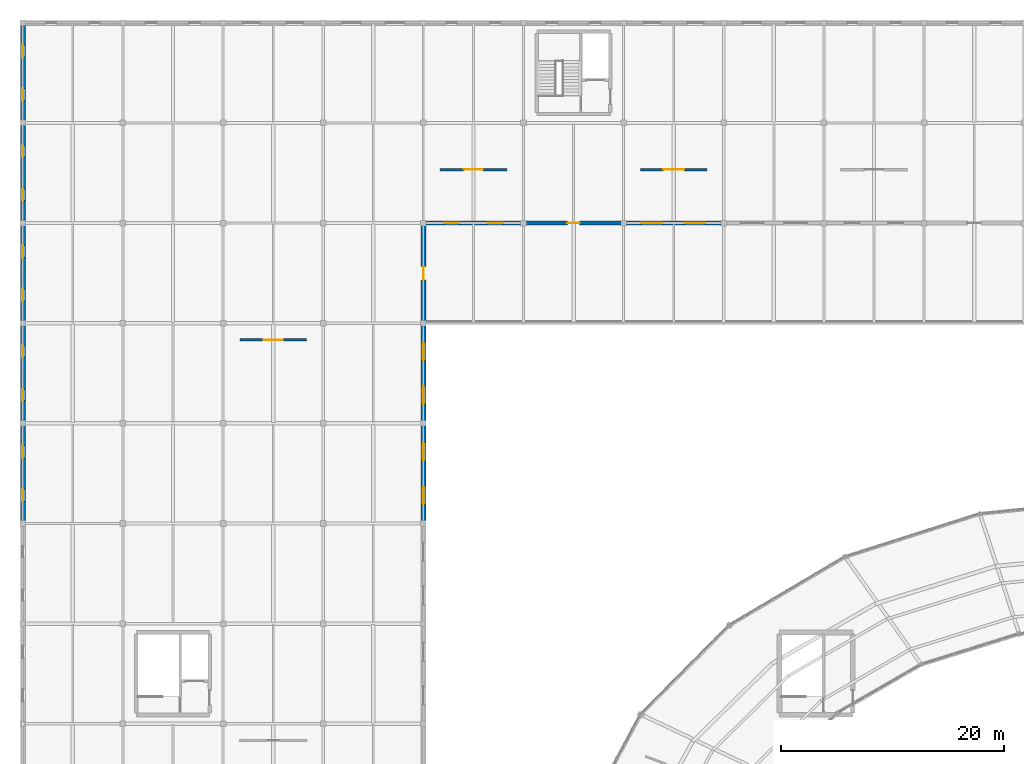
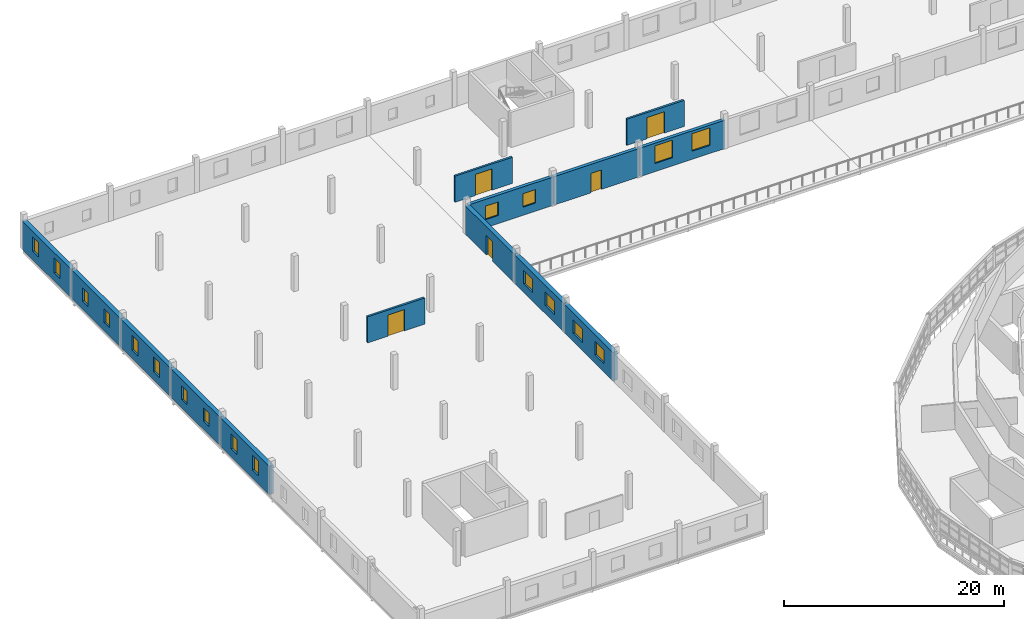
# One storey, part 108 of 123: 18 windows, 14 walls, 5 doors, 23 openings.
"""IFC4 building model written with IfcOpenShell, lengths in metres."""

from ifc_helpers import new_model, si_unit, direction, frame, frame_2d, origin, place, context, subcontext, project, spatial, rectangle, extrude, material, layer, layer_set, type_object, element, fill, save


model = new_model("IFC4")

# Units and contexts
model_context = context("Model", 3, precision=1e-05, world=origin(), true_north=direction((0.0, 1.0)))
body_context = subcontext(model_context, "Body", "Model", "MODEL_VIEW")
ifc_project = project(units=[si_unit("LENGTHUNIT", "METRE"), si_unit("AREAUNIT", "SQUARE_METRE"), si_unit("VOLUMEUNIT", "CUBIC_METRE"), si_unit("PLANEANGLEUNIT", "RADIAN"), si_unit("MASSUNIT", "GRAM", prefix="KILO")], contexts=[model_context])

# Site, building, storey
site_placement = place(None, origin())
site = spatial("IfcSite", under=ifc_project, at=site_placement, CompositionType="ELEMENT")
building_placement = place(site_placement, origin())
building = spatial("IfcBuilding", under=site, at=building_placement, Name="Kildeholm Park Wholesale Market", CompositionType="ELEMENT")
storey_placement = place(building_placement, frame((0.0, 0.0, 9.60009765625)))
storey = spatial("IfcBuildingStorey", under=building, at=storey_placement, Name="L02", CompositionType="ELEMENT", Elevation=9.60009765625)

# Wall, openings, windows
ifc_material_1 = material(Name="Precast concrete C40/50 ripening envelope wall", Category="concrete")
ifc_layer_1 = layer(ifc_material_1, 0.449951171875)
ifc_layer_set_1 = layer_set([ifc_layer_1], Name="Precast concrete C40/50 ripening envelope wall")
wall_type_1 = type_object("IfcWallType", Name="Exterior wall W-CS3 450 mm", PredefinedType="SOLIDWALL", material=ifc_layer_set_1)
wall_1_placement = place(storey_placement, frame((0.0, 126.06005859375, 0.0), z_axis=(0.0, 0.0, 1.0), x_axis=(0.0, 1.0, 0.0)))
wall_1 = element("IfcWall", 1, at=wall_1_placement, inside=storey, type_object=wall_type_1, Name="Exterior wall V4W-L02.4 WL-0396", PredefinedType="SOLIDWALL", context=body_context, shape_type="SweptSolid", body=[
    extrude(rectangle(XDim=8.8798828125, YDim=0.449951171875, at=frame_2d((4.43994140625, 0.0))), origin(), (0.0, 0.0, 1.0), 3.14990234375),
])
opening_1_placement = place(wall_1_placement, frame((1.93603515625, 0.0, 0.89990234375)))
opening_1 = element("IfcOpeningElement", 2, at=opening_1_placement, cuts=wall_1, Name="Opening WN-19", PredefinedType="OPENING", context=body_context, shape_type="SweptSolid", body=[
    extrude(rectangle(XDim=1.10009765625, YDim=1.64990234375, at=frame_2d((0.550048828125, 0.824951171875))), frame((0.0, 0.23486328125, 0.0), z_axis=(0.0, -1.0, 0.0), x_axis=(1.0, 0.0, 0.0)), (0.0, 0.0, 1.0), 0.469970703125),
])
opening_2_placement = place(wall_1_placement, frame((5.843994140625, 0.0, 0.89990234375)))
opening_2 = element("IfcOpeningElement", 3, at=opening_2_placement, cuts=wall_1, Name="Opening WN-19", PredefinedType="OPENING", context=body_context, shape_type="SweptSolid", body=[
    extrude(rectangle(XDim=1.10009765625, YDim=1.64990234375, at=frame_2d((0.550048828125, 0.824951171875))), frame((0.0, 0.23486328125, 0.0), z_axis=(0.0, -1.0, 0.0), x_axis=(1.0, 0.0, 0.0)), (0.0, 0.0, 1.0), 0.469970703125),
])
ifc_material_2 = material(Name="Thermally broken aluminium and triple-glazed low-E glass", Category="aluminium")
window_type_1 = type_object("IfcWindowType", Name="Window WN-19 1100x1650", PartitioningType="SINGLE_PANEL", PredefinedType="WINDOW", material=ifc_material_2)
window_1_placement = place(opening_1_placement, origin())
window_1 = element("IfcWindow", 4, at=window_1_placement, inside=storey, type_object=window_type_1, Name="Window V4W-L02.4.1 WIN-0185", OverallHeight=1.64990234375, OverallWidth=1.10009765625, PartitioningType="SINGLE_PANEL", PredefinedType="WINDOW", context=body_context, shape_type="SweptSolid", body=[
    extrude(rectangle(XDim=1.10009765625, YDim=1.64990234375, at=frame_2d((0.550048828125, 0.824951171875))), frame((0.0, 0.030029296875, 0.0), z_axis=(0.0, -1.0, 0.0), x_axis=(1.0, 0.0, 0.0)), (0.0, 0.0, 1.0), 0.06005859375),
])
fill(opening_1, window_1)
window_2_placement = place(opening_2_placement, origin())
window_2 = element("IfcWindow", 5, at=window_2_placement, inside=storey, type_object=window_type_1, Name="Window V4W-L02.4.2 WIN-0186", OverallHeight=1.64990234375, OverallWidth=1.10009765625, PartitioningType="SINGLE_PANEL", PredefinedType="WINDOW", context=body_context, shape_type="SweptSolid", body=[
    extrude(rectangle(XDim=1.10009765625, YDim=1.64990234375, at=frame_2d((0.550048828125, 0.824951171875))), frame((0.0, 0.030029296875, 0.0), z_axis=(0.0, -1.0, 0.0), x_axis=(1.0, 0.0, 0.0)), (0.0, 0.0, 1.0), 0.06005859375),
])
fill(opening_2, window_2)

wall_2_placement = place(storey_placement, frame((0.0, 135.06005859375, 0.0), z_axis=(0.0, 0.0, 1.0), x_axis=(0.0, 1.0, 0.0)))
wall_2 = element("IfcWall", 6, at=wall_2_placement, inside=storey, type_object=wall_type_1, Name="Exterior wall V4W-L02.5 WL-0397", PredefinedType="SOLIDWALL", context=body_context, shape_type="SweptSolid", body=[
    extrude(rectangle(XDim=8.8798828125, YDim=0.449951171875, at=frame_2d((4.43994140625, 0.0))), origin(), (0.0, 0.0, 1.0), 3.14990234375),
])
opening_3_placement = place(wall_2_placement, frame((1.986083984375, 0.0, 0.89990234375)))
opening_3 = element("IfcOpeningElement", 7, at=opening_3_placement, cuts=wall_2, Name="Opening WN-09", PredefinedType="OPENING", context=body_context, shape_type="SweptSolid", body=[
    extrude(rectangle(XDim=1.0, YDim=1.5, at=frame_2d((0.5, 0.75))), frame((0.0, 0.23486328125, 0.0), z_axis=(0.0, -1.0, 0.0), x_axis=(1.0, 0.0, 0.0)), (0.0, 0.0, 1.0), 0.469970703125),
])
opening_4_placement = place(wall_2_placement, frame((5.89404296875, 0.0, 0.89990234375)))
opening_4 = element("IfcOpeningElement", 8, at=opening_4_placement, cuts=wall_2, Name="Opening WN-09", PredefinedType="OPENING", context=body_context, shape_type="SweptSolid", body=[
    extrude(rectangle(XDim=1.0, YDim=1.5, at=frame_2d((0.5, 0.75))), frame((0.0, 0.23486328125, 0.0), z_axis=(0.0, -1.0, 0.0), x_axis=(1.0, 0.0, 0.0)), (0.0, 0.0, 1.0), 0.469970703125),
])
window_type_2 = type_object("IfcWindowType", Name="Window WN-09 1000x1500", PartitioningType="SINGLE_PANEL", PredefinedType="WINDOW", material=ifc_material_2)
window_3_placement = place(opening_3_placement, origin())
window_3 = element("IfcWindow", 9, at=window_3_placement, inside=storey, type_object=window_type_2, Name="Window V4W-L02.5.1 WIN-0187", OverallHeight=1.5, OverallWidth=1.0, PartitioningType="SINGLE_PANEL", PredefinedType="WINDOW", context=body_context, shape_type="SweptSolid", body=[
    extrude(rectangle(XDim=1.0, YDim=1.5, at=frame_2d((0.5, 0.75))), frame((0.0, 0.030029296875, 0.0), z_axis=(0.0, -1.0, 0.0), x_axis=(1.0, 0.0, 0.0)), (0.0, 0.0, 1.0), 0.06005859375),
])
fill(opening_3, window_3)
window_4_placement = place(opening_4_placement, origin())
window_4 = element("IfcWindow", 10, at=window_4_placement, inside=storey, type_object=window_type_2, Name="Window V4W-L02.5.2 WIN-0188", OverallHeight=1.5, OverallWidth=1.0, PartitioningType="SINGLE_PANEL", PredefinedType="WINDOW", context=body_context, shape_type="SweptSolid", body=[
    extrude(rectangle(XDim=1.0, YDim=1.5, at=frame_2d((0.5, 0.75))), frame((0.0, 0.030029296875, 0.0), z_axis=(0.0, -1.0, 0.0), x_axis=(1.0, 0.0, 0.0)), (0.0, 0.0, 1.0), 0.06005859375),
])
fill(opening_4, window_4)

wall_3_placement = place(storey_placement, frame((0.0, 144.06005859375, 0.0), z_axis=(0.0, 0.0, 1.0), x_axis=(0.0, 1.0, 0.0)))
wall_3 = element("IfcWall", 11, at=wall_3_placement, inside=storey, type_object=wall_type_1, Name="Exterior wall V4W-L02.6 WL-0398", PredefinedType="SOLIDWALL", context=body_context, shape_type="SweptSolid", body=[
    extrude(rectangle(XDim=8.8798828125, YDim=0.449951171875, at=frame_2d((4.43994140625, 0.0))), origin(), (0.0, 0.0, 1.0), 3.14990234375),
])
opening_5_placement = place(wall_3_placement, frame((1.93603515625, 0.0, 0.89990234375)))
opening_5 = element("IfcOpeningElement", 12, at=opening_5_placement, cuts=wall_3, Name="Opening WN-19", PredefinedType="OPENING", context=body_context, shape_type="SweptSolid", body=[
    extrude(rectangle(XDim=1.10009765625, YDim=1.64990234375, at=frame_2d((0.550048828125, 0.824951171875))), frame((0.0, 0.23486328125, 0.0), z_axis=(0.0, -1.0, 0.0), x_axis=(1.0, 0.0, 0.0)), (0.0, 0.0, 1.0), 0.469970703125),
])
opening_6_placement = place(wall_3_placement, frame((5.843994140625, 0.0, 0.89990234375)))
opening_6 = element("IfcOpeningElement", 13, at=opening_6_placement, cuts=wall_3, Name="Opening WN-19", PredefinedType="OPENING", context=body_context, shape_type="SweptSolid", body=[
    extrude(rectangle(XDim=1.10009765625, YDim=1.64990234375, at=frame_2d((0.550048828125, 0.824951171875))), frame((0.0, 0.23486328125, 0.0), z_axis=(0.0, -1.0, 0.0), x_axis=(1.0, 0.0, 0.0)), (0.0, 0.0, 1.0), 0.469970703125),
])
window_5_placement = place(opening_5_placement, origin())
window_5 = element("IfcWindow", 14, at=window_5_placement, inside=storey, type_object=window_type_1, Name="Window V4W-L02.6.1 WIN-0189", OverallHeight=1.64990234375, OverallWidth=1.10009765625, PartitioningType="SINGLE_PANEL", PredefinedType="WINDOW", context=body_context, shape_type="SweptSolid", body=[
    extrude(rectangle(XDim=1.10009765625, YDim=1.64990234375, at=frame_2d((0.550048828125, 0.824951171875))), frame((0.0, 0.030029296875, 0.0), z_axis=(0.0, -1.0, 0.0), x_axis=(1.0, 0.0, 0.0)), (0.0, 0.0, 1.0), 0.06005859375),
])
fill(opening_5, window_5)
window_6_placement = place(opening_6_placement, origin())
window_6 = element("IfcWindow", 15, at=window_6_placement, inside=storey, type_object=window_type_1, Name="Window V4W-L02.6.2 WIN-0190", OverallHeight=1.64990234375, OverallWidth=1.10009765625, PartitioningType="SINGLE_PANEL", PredefinedType="WINDOW", context=body_context, shape_type="SweptSolid", body=[
    extrude(rectangle(XDim=1.10009765625, YDim=1.64990234375, at=frame_2d((0.550048828125, 0.824951171875))), frame((0.0, 0.030029296875, 0.0), z_axis=(0.0, -1.0, 0.0), x_axis=(1.0, 0.0, 0.0)), (0.0, 0.0, 1.0), 0.06005859375),
])
fill(opening_6, window_6)

wall_4_placement = place(storey_placement, frame((0.0, 153.06005859375, 0.0), z_axis=(0.0, 0.0, 1.0), x_axis=(0.0, 1.0, 0.0)))
wall_4 = element("IfcWall", 16, at=wall_4_placement, inside=storey, type_object=wall_type_1, Name="Exterior wall V4W-L02.7 WL-0399", PredefinedType="SOLIDWALL", context=body_context, shape_type="SweptSolid", body=[
    extrude(rectangle(XDim=8.8798828125, YDim=0.449951171875, at=frame_2d((4.43994140625, 0.0))), origin(), (0.0, 0.0, 1.0), 3.14990234375),
])
opening_7_placement = place(wall_4_placement, frame((1.986083984375, 0.0, 0.89990234375)))
opening_7 = element("IfcOpeningElement", 17, at=opening_7_placement, cuts=wall_4, Name="Opening WN-09", PredefinedType="OPENING", context=body_context, shape_type="SweptSolid", body=[
    extrude(rectangle(XDim=1.0, YDim=1.5, at=frame_2d((0.5, 0.75))), frame((0.0, 0.23486328125, 0.0), z_axis=(0.0, -1.0, 0.0), x_axis=(1.0, 0.0, 0.0)), (0.0, 0.0, 1.0), 0.469970703125),
])
opening_8_placement = place(wall_4_placement, frame((5.89404296875, 0.0, 0.89990234375)))
opening_8 = element("IfcOpeningElement", 18, at=opening_8_placement, cuts=wall_4, Name="Opening WN-09", PredefinedType="OPENING", context=body_context, shape_type="SweptSolid", body=[
    extrude(rectangle(XDim=1.0, YDim=1.5, at=frame_2d((0.5, 0.75))), frame((0.0, 0.23486328125, 0.0), z_axis=(0.0, -1.0, 0.0), x_axis=(1.0, 0.0, 0.0)), (0.0, 0.0, 1.0), 0.469970703125),
])
window_7_placement = place(opening_7_placement, origin())
window_7 = element("IfcWindow", 19, at=window_7_placement, inside=storey, type_object=window_type_2, Name="Window V4W-L02.7.1 WIN-0191", OverallHeight=1.5, OverallWidth=1.0, PartitioningType="SINGLE_PANEL", PredefinedType="WINDOW", context=body_context, shape_type="SweptSolid", body=[
    extrude(rectangle(XDim=1.0, YDim=1.5, at=frame_2d((0.5, 0.75))), frame((0.0, 0.030029296875, 0.0), z_axis=(0.0, -1.0, 0.0), x_axis=(1.0, 0.0, 0.0)), (0.0, 0.0, 1.0), 0.06005859375),
])
fill(opening_7, window_7)
window_8_placement = place(opening_8_placement, origin())
window_8 = element("IfcWindow", 20, at=window_8_placement, inside=storey, type_object=window_type_2, Name="Window V4W-L02.7.2 WIN-0192", OverallHeight=1.5, OverallWidth=1.0, PartitioningType="SINGLE_PANEL", PredefinedType="WINDOW", context=body_context, shape_type="SweptSolid", body=[
    extrude(rectangle(XDim=1.0, YDim=1.5, at=frame_2d((0.5, 0.75))), frame((0.0, 0.030029296875, 0.0), z_axis=(0.0, -1.0, 0.0), x_axis=(1.0, 0.0, 0.0)), (0.0, 0.0, 1.0), 0.06005859375),
])
fill(opening_8, window_8)

wall_5_placement = place(storey_placement, frame((0.0, 162.06005859375, 0.0), z_axis=(0.0, 0.0, 1.0), x_axis=(0.0, 1.0, 0.0)))
wall_5 = element("IfcWall", 21, at=wall_5_placement, inside=storey, type_object=wall_type_1, Name="Exterior wall V4W-L02.8 WL-0400", PredefinedType="SOLIDWALL", context=body_context, shape_type="SweptSolid", body=[
    extrude(rectangle(XDim=8.8798828125, YDim=0.449951171875, at=frame_2d((4.43994140625, 0.0))), origin(), (0.0, 0.0, 1.0), 3.14990234375),
])
opening_9_placement = place(wall_5_placement, frame((1.93603515625, 0.0, 0.89990234375)))
opening_9 = element("IfcOpeningElement", 22, at=opening_9_placement, cuts=wall_5, Name="Opening WN-19", PredefinedType="OPENING", context=body_context, shape_type="SweptSolid", body=[
    extrude(rectangle(XDim=1.10009765625, YDim=1.64990234375, at=frame_2d((0.550048828125, 0.824951171875))), frame((0.0, 0.23486328125, 0.0), z_axis=(0.0, -1.0, 0.0), x_axis=(1.0, 0.0, 0.0)), (0.0, 0.0, 1.0), 0.469970703125),
])
opening_10_placement = place(wall_5_placement, frame((5.843994140625, 0.0, 0.89990234375)))
opening_10 = element("IfcOpeningElement", 23, at=opening_10_placement, cuts=wall_5, Name="Opening WN-19", PredefinedType="OPENING", context=body_context, shape_type="SweptSolid", body=[
    extrude(rectangle(XDim=1.10009765625, YDim=1.64990234375, at=frame_2d((0.550048828125, 0.824951171875))), frame((0.0, 0.23486328125, 0.0), z_axis=(0.0, -1.0, 0.0), x_axis=(1.0, 0.0, 0.0)), (0.0, 0.0, 1.0), 0.469970703125),
])
window_9_placement = place(opening_9_placement, origin())
window_9 = element("IfcWindow", 24, at=window_9_placement, inside=storey, type_object=window_type_1, Name="Window V4W-L02.8.1 WIN-0193", OverallHeight=1.64990234375, OverallWidth=1.10009765625, PartitioningType="SINGLE_PANEL", PredefinedType="WINDOW", context=body_context, shape_type="SweptSolid", body=[
    extrude(rectangle(XDim=1.10009765625, YDim=1.64990234375, at=frame_2d((0.550048828125, 0.824951171875))), frame((0.0, 0.030029296875, 0.0), z_axis=(0.0, -1.0, 0.0), x_axis=(1.0, 0.0, 0.0)), (0.0, 0.0, 1.0), 0.06005859375),
])
fill(opening_9, window_9)
window_10_placement = place(opening_10_placement, origin())
window_10 = element("IfcWindow", 25, at=window_10_placement, inside=storey, type_object=window_type_1, Name="Window V4W-L02.8.2 WIN-0194", OverallHeight=1.64990234375, OverallWidth=1.10009765625, PartitioningType="SINGLE_PANEL", PredefinedType="WINDOW", context=body_context, shape_type="SweptSolid", body=[
    extrude(rectangle(XDim=1.10009765625, YDim=1.64990234375, at=frame_2d((0.550048828125, 0.824951171875))), frame((0.0, 0.030029296875, 0.0), z_axis=(0.0, -1.0, 0.0), x_axis=(1.0, 0.0, 0.0)), (0.0, 0.0, 1.0), 0.06005859375),
])
fill(opening_10, window_10)

wall_6_placement = place(storey_placement, frame((36.0, 126.06005859375, 0.0), z_axis=(0.0, 0.0, 1.0), x_axis=(0.0, 1.0, 0.0)))
wall_6 = element("IfcWall", 26, at=wall_6_placement, inside=storey, type_object=wall_type_1, Name="Exterior wall V4WE-L02.4 WL-0426", PredefinedType="SOLIDWALL", context=body_context, shape_type="SweptSolid", body=[
    extrude(rectangle(XDim=8.8798828125, YDim=0.449951171875, at=frame_2d((4.43994140625, 0.0))), origin(), (0.0, 0.0, 1.0), 3.14990234375),
])
opening_11_placement = place(wall_6_placement, frame((1.660888671875, 0.0, 0.89990234375)))
opening_11 = element("IfcOpeningElement", 27, at=opening_11_placement, cuts=wall_6, Name="Opening WN-11", PredefinedType="OPENING", context=body_context, shape_type="SweptSolid", body=[
    extrude(rectangle(XDim=1.64990234375, YDim=1.5, at=frame_2d((0.824951171875, 0.75))), frame((0.0, 0.23486328125, 0.0), z_axis=(0.0, -1.0, 0.0), x_axis=(1.0, 0.0, 0.0)), (0.0, 0.0, 1.0), 0.469970703125),
])
opening_12_placement = place(wall_6_placement, frame((5.569091796875, 0.0, 0.89990234375)))
opening_12 = element("IfcOpeningElement", 28, at=opening_12_placement, cuts=wall_6, Name="Opening WN-11", PredefinedType="OPENING", context=body_context, shape_type="SweptSolid", body=[
    extrude(rectangle(XDim=1.64990234375, YDim=1.5, at=frame_2d((0.824951171875, 0.75))), frame((0.0, 0.23486328125, 0.0), z_axis=(0.0, -1.0, 0.0), x_axis=(1.0, 0.0, 0.0)), (0.0, 0.0, 1.0), 0.469970703125),
])
window_type_3 = type_object("IfcWindowType", Name="Window WN-11 1650x1500", PartitioningType="DOUBLE_PANEL_VERTICAL", PredefinedType="WINDOW", material=ifc_material_2)
window_11_placement = place(opening_11_placement, origin())
window_11 = element("IfcWindow", 29, at=window_11_placement, inside=storey, type_object=window_type_3, Name="Window V4WE-L02.4.1 WIN-0219", OverallHeight=1.5, OverallWidth=1.64990234375, PartitioningType="SINGLE_PANEL", PredefinedType="WINDOW", context=body_context, shape_type="SweptSolid", body=[
    extrude(rectangle(XDim=1.64990234375, YDim=1.5, at=frame_2d((0.824951171875, 0.75))), frame((0.0, 0.030029296875, 0.0), z_axis=(0.0, -1.0, 0.0), x_axis=(1.0, 0.0, 0.0)), (0.0, 0.0, 1.0), 0.06005859375),
])
fill(opening_11, window_11)
window_12_placement = place(opening_12_placement, origin())
window_12 = element("IfcWindow", 30, at=window_12_placement, inside=storey, type_object=window_type_3, Name="Window V4WE-L02.4.2 WIN-0220", OverallHeight=1.5, OverallWidth=1.64990234375, PartitioningType="SINGLE_PANEL", PredefinedType="WINDOW", context=body_context, shape_type="SweptSolid", body=[
    extrude(rectangle(XDim=1.64990234375, YDim=1.5, at=frame_2d((0.824951171875, 0.75))), frame((0.0, 0.030029296875, 0.0), z_axis=(0.0, -1.0, 0.0), x_axis=(1.0, 0.0, 0.0)), (0.0, 0.0, 1.0), 0.06005859375),
])
fill(opening_12, window_12)

wall_7_placement = place(storey_placement, frame((36.0, 135.06005859375, 0.0), z_axis=(0.0, 0.0, 1.0), x_axis=(0.0, 1.0, 0.0)))
wall_7 = element("IfcWall", 31, at=wall_7_placement, inside=storey, type_object=wall_type_1, Name="Exterior wall V4WE-L02.5 WL-0427", PredefinedType="SOLIDWALL", context=body_context, shape_type="SweptSolid", body=[
    extrude(rectangle(XDim=8.8798828125, YDim=0.449951171875, at=frame_2d((4.43994140625, 0.0))), origin(), (0.0, 0.0, 1.0), 3.14990234375),
])
opening_13_placement = place(wall_7_placement, frame((1.660888671875, 0.0, 0.89990234375)))
opening_13 = element("IfcOpeningElement", 32, at=opening_13_placement, cuts=wall_7, Name="Opening WN-11", PredefinedType="OPENING", context=body_context, shape_type="SweptSolid", body=[
    extrude(rectangle(XDim=1.64990234375, YDim=1.5, at=frame_2d((0.824951171875, 0.75))), frame((0.0, 0.23486328125, 0.0), z_axis=(0.0, -1.0, 0.0), x_axis=(1.0, 0.0, 0.0)), (0.0, 0.0, 1.0), 0.469970703125),
])
opening_14_placement = place(wall_7_placement, frame((5.569091796875, 0.0, 0.89990234375)))
opening_14 = element("IfcOpeningElement", 33, at=opening_14_placement, cuts=wall_7, Name="Opening WN-11", PredefinedType="OPENING", context=body_context, shape_type="SweptSolid", body=[
    extrude(rectangle(XDim=1.64990234375, YDim=1.5, at=frame_2d((0.824951171875, 0.75))), frame((0.0, 0.23486328125, 0.0), z_axis=(0.0, -1.0, 0.0), x_axis=(1.0, 0.0, 0.0)), (0.0, 0.0, 1.0), 0.469970703125),
])
window_13_placement = place(opening_13_placement, origin())
window_13 = element("IfcWindow", 34, at=window_13_placement, inside=storey, type_object=window_type_3, Name="Window V4WE-L02.5.1 WIN-0221", OverallHeight=1.5, OverallWidth=1.64990234375, PartitioningType="SINGLE_PANEL", PredefinedType="WINDOW", context=body_context, shape_type="SweptSolid", body=[
    extrude(rectangle(XDim=1.64990234375, YDim=1.5, at=frame_2d((0.824951171875, 0.75))), frame((0.0, 0.030029296875, 0.0), z_axis=(0.0, -1.0, 0.0), x_axis=(1.0, 0.0, 0.0)), (0.0, 0.0, 1.0), 0.06005859375),
])
fill(opening_13, window_13)
window_14_placement = place(opening_14_placement, origin())
window_14 = element("IfcWindow", 35, at=window_14_placement, inside=storey, type_object=window_type_3, Name="Window V4WE-L02.5.2 WIN-0222", OverallHeight=1.5, OverallWidth=1.64990234375, PartitioningType="SINGLE_PANEL", PredefinedType="WINDOW", context=body_context, shape_type="SweptSolid", body=[
    extrude(rectangle(XDim=1.64990234375, YDim=1.5, at=frame_2d((0.824951171875, 0.75))), frame((0.0, 0.030029296875, 0.0), z_axis=(0.0, -1.0, 0.0), x_axis=(1.0, 0.0, 0.0)), (0.0, 0.0, 1.0), 0.06005859375),
])
fill(opening_14, window_14)

# Wall, opening, door
wall_8_placement = place(storey_placement, frame((36.0, 144.06005859375, 0.0), z_axis=(0.0, 0.0, 1.0), x_axis=(0.0, 1.0, 0.0)))
wall_8 = element("IfcWall", 36, at=wall_8_placement, inside=storey, type_object=wall_type_1, Name="Exterior wall V4WE-L02.6 WL-0428", PredefinedType="SOLIDWALL", context=body_context, shape_type="SweptSolid", body=[
    extrude(rectangle(XDim=8.8798828125, YDim=0.449951171875, at=frame_2d((4.43994140625, 0.0))), origin(), (0.0, 0.0, 1.0), 3.14990234375),
])
opening_15_placement = place(wall_8_placement, frame((3.840087890625, 0.0, 0.0)))
opening_15 = element("IfcOpeningElement", 37, at=opening_15_placement, cuts=wall_8, Name="Opening D-EX11", PredefinedType="OPENING", context=body_context, shape_type="SweptSolid", body=[
    extrude(rectangle(XDim=1.199951171875, YDim=2.14990234375, at=frame_2d((0.60009765625, 1.074951171875))), frame((0.0, 0.23486328125, 0.0), z_axis=(0.0, -1.0, 0.0), x_axis=(1.0, 0.0, 0.0)), (0.0, 0.0, 1.0), 0.469970703125),
])
ifc_material_3 = material(Name="Anodised aluminium terrace leaf door", Category="aluminium")
door_type_1 = type_object("IfcDoorType", Name="Exterior door D-EX11 1200x2150", OperationType="NOTDEFINED", PredefinedType="DOOR", material=ifc_material_3)
door_1_placement = place(opening_15_placement, frame((1.199951171875, 0.0, 0.0), z_axis=(0.0, 0.0, 1.0), x_axis=(-1.0, 0.0, 0.0)))
door_1 = element("IfcDoor", 38, at=door_1_placement, inside=storey, type_object=door_type_1, Name="Door V4WE-L02.6 DR-0039 WL-0428", OperationType="SINGLE_SWING_LEFT", OverallHeight=2.14990234375, OverallWidth=1.199951171875, PredefinedType="DOOR", context=body_context, shape_type="SweptSolid", body=[
    extrude(rectangle(XDim=1.199951171875, YDim=2.14990234375, at=frame_2d((0.60009765625, 1.074951171875))), frame((0.0, 0.02490234375, 0.0), z_axis=(0.0, -1.0, 0.0), x_axis=(1.0, 0.0, 0.0)), (0.0, 0.0, 1.0), 0.050048828125),
])
fill(opening_15, door_1)

# Wall, openings, windows
ifc_material_4 = material(Name="Precast concrete C40/50 architectural rainscreen wall", Category="concrete")
ifc_layer_2 = layer(ifc_material_4, 0.340087890625)
ifc_layer_set_2 = layer_set([ifc_layer_2], Name="Precast concrete C40/50 architectural rainscreen wall")
wall_type_2 = type_object("IfcWallType", Name="Exterior wall W-EX4 340 mm", PredefinedType="SOLIDWALL", material=ifc_layer_set_2)
wall_9_placement = place(storey_placement, frame((36.06005859375, 153.0, 0.0), z_axis=(0.0, 0.0, 1.0), x_axis=(1.0, 0.0, 0.0)))
wall_9 = element("IfcWall", 39, at=wall_9_placement, inside=storey, type_object=wall_type_2, Name="Exterior wall V4S-L02.1 WL-0469", PredefinedType="SOLIDWALL", context=body_context, shape_type="SweptSolid", body=[
    extrude(rectangle(XDim=8.8798828125, YDim=0.340087890625, at=frame_2d((4.43994140625, 0.0))), origin(), (0.0, 0.0, 1.0), 3.14990234375),
])
opening_16_placement = place(wall_9_placement, frame((1.81103515625, 0.0, 0.89990234375)))
opening_16 = element("IfcOpeningElement", 40, at=opening_16_placement, cuts=wall_9, Name="Opening WN-10", PredefinedType="OPENING", context=body_context, shape_type="SweptSolid", body=[
    extrude(rectangle(XDim=1.35009765625, YDim=1.5, at=frame_2d((0.675048828125, 0.75))), frame((0.0, 0.179931640625, 0.0), z_axis=(0.0, -1.0, 0.0), x_axis=(1.0, 0.0, 0.0)), (0.0, 0.0, 1.0), 0.360107421875),
])
opening_17_placement = place(wall_9_placement, frame((5.718994140625, 0.0, 0.89990234375)))
opening_17 = element("IfcOpeningElement", 41, at=opening_17_placement, cuts=wall_9, Name="Opening WN-10", PredefinedType="OPENING", context=body_context, shape_type="SweptSolid", body=[
    extrude(rectangle(XDim=1.35009765625, YDim=1.5, at=frame_2d((0.675048828125, 0.75))), frame((0.0, 0.179931640625, 0.0), z_axis=(0.0, -1.0, 0.0), x_axis=(1.0, 0.0, 0.0)), (0.0, 0.0, 1.0), 0.360107421875),
])
window_type_4 = type_object("IfcWindowType", Name="Window WN-10 1350x1500", PartitioningType="SINGLE_PANEL", PredefinedType="WINDOW", material=ifc_material_2)
window_15_placement = place(opening_16_placement, origin())
window_15 = element("IfcWindow", 42, at=window_15_placement, inside=storey, type_object=window_type_4, Name="Window V4S-L02.1.1 WIN-0265", OverallHeight=1.5, OverallWidth=1.35009765625, PartitioningType="SINGLE_PANEL", PredefinedType="WINDOW", context=body_context, shape_type="SweptSolid", body=[
    extrude(rectangle(XDim=1.35009765625, YDim=1.5, at=frame_2d((0.675048828125, 0.75))), frame((0.0, 0.030029296875, 0.0), z_axis=(0.0, -1.0, 0.0), x_axis=(1.0, 0.0, 0.0)), (0.0, 0.0, 1.0), 0.06005859375),
])
fill(opening_16, window_15)
window_16_placement = place(opening_17_placement, origin())
window_16 = element("IfcWindow", 43, at=window_16_placement, inside=storey, type_object=window_type_4, Name="Window V4S-L02.1.2 WIN-0266", OverallHeight=1.5, OverallWidth=1.35009765625, PartitioningType="SINGLE_PANEL", PredefinedType="WINDOW", context=body_context, shape_type="SweptSolid", body=[
    extrude(rectangle(XDim=1.35009765625, YDim=1.5, at=frame_2d((0.675048828125, 0.75))), frame((0.0, 0.030029296875, 0.0), z_axis=(0.0, -1.0, 0.0), x_axis=(1.0, 0.0, 0.0)), (0.0, 0.0, 1.0), 0.06005859375),
])
fill(opening_17, window_16)

# Wall, opening, door
wall_10_placement = place(storey_placement, frame((45.06005859375, 153.0, 0.0), z_axis=(0.0, 0.0, 1.0), x_axis=(1.0, 0.0, 0.0)))
wall_10 = element("IfcWall", 44, at=wall_10_placement, inside=storey, type_object=wall_type_2, Name="Exterior wall V4S-L02.2 WL-0470", PredefinedType="SOLIDWALL", context=body_context, shape_type="SweptSolid", body=[
    extrude(rectangle(XDim=8.8798828125, YDim=0.340087890625, at=frame_2d((4.43994140625, 0.0))), origin(), (0.0, 0.0, 1.0), 3.14990234375),
])
opening_18_placement = place(wall_10_placement, frame((3.889892578125, 0.0, 0.0)))
opening_18 = element("IfcOpeningElement", 45, at=opening_18_placement, cuts=wall_10, Name="Opening D-EX06", PredefinedType="OPENING", context=body_context, shape_type="SweptSolid", body=[
    extrude(rectangle(XDim=1.10009765625, YDim=2.14990234375, at=frame_2d((0.550048828125, 1.074951171875))), frame((0.0, 0.179931640625, 0.0), z_axis=(0.0, -1.0, 0.0), x_axis=(1.0, 0.0, 0.0)), (0.0, 0.0, 1.0), 0.360107421875),
])
ifc_material_5 = material(Name="Anodised aluminium terrace doorset", Category="aluminium")
door_type_2 = type_object("IfcDoorType", Name="Exterior door D-EX06 1100x2150", OperationType="NOTDEFINED", PredefinedType="DOOR", material=ifc_material_5)
door_2_placement = place(opening_18_placement, frame((1.10009765625, 0.0, 0.0), z_axis=(0.0, 0.0, 1.0), x_axis=(-1.0, 0.0, 0.0)))
door_2 = element("IfcDoor", 46, at=door_2_placement, inside=storey, type_object=door_type_2, Name="Door V4S-L02.2 DR-0044 WL-0470", OperationType="SINGLE_SWING_RIGHT", OverallHeight=2.14990234375, OverallWidth=1.10009765625, PredefinedType="DOOR", context=body_context, shape_type="SweptSolid", body=[
    extrude(rectangle(XDim=1.10009765625, YDim=2.14990234375, at=frame_2d((0.550048828125, 1.074951171875))), frame((0.0, 0.02490234375, 0.0), z_axis=(0.0, -1.0, 0.0), x_axis=(1.0, 0.0, 0.0)), (0.0, 0.0, 1.0), 0.050048828125),
])
fill(opening_18, door_2)

# Wall, openings, windows
wall_11_placement = place(storey_placement, frame((54.06005859375, 153.0, 0.0), z_axis=(0.0, 0.0, 1.0), x_axis=(1.0, 0.0, 0.0)))
wall_11 = element("IfcWall", 47, at=wall_11_placement, inside=storey, type_object=wall_type_2, Name="Exterior wall V4S-L02.3 WL-0471", PredefinedType="SOLIDWALL", context=body_context, shape_type="SweptSolid", body=[
    extrude(rectangle(XDim=8.8798828125, YDim=0.340087890625, at=frame_2d((4.43994140625, 0.0))), origin(), (0.0, 0.0, 1.0), 3.14990234375),
])
opening_19_placement = place(wall_11_placement, frame((1.5458984375, 0.0, 0.89990234375)))
opening_19 = element("IfcOpeningElement", 48, at=opening_19_placement, cuts=wall_11, Name="Opening WN-39", PredefinedType="OPENING", context=body_context, shape_type="SweptSolid", body=[
    extrude(rectangle(XDim=1.8798828125, YDim=1.949951171875, at=frame_2d((0.93994140625, 0.97509765625))), frame((0.0, 0.179931640625, 0.0), z_axis=(0.0, -1.0, 0.0), x_axis=(1.0, 0.0, 0.0)), (0.0, 0.0, 1.0), 0.360107421875),
])
opening_20_placement = place(wall_11_placement, frame((5.4541015625, 0.0, 0.89990234375)))
opening_20 = element("IfcOpeningElement", 49, at=opening_20_placement, cuts=wall_11, Name="Opening WN-39", PredefinedType="OPENING", context=body_context, shape_type="SweptSolid", body=[
    extrude(rectangle(XDim=1.8798828125, YDim=1.949951171875, at=frame_2d((0.93994140625, 0.97509765625))), frame((0.0, 0.179931640625, 0.0), z_axis=(0.0, -1.0, 0.0), x_axis=(1.0, 0.0, 0.0)), (0.0, 0.0, 1.0), 0.360107421875),
])
window_type_5 = type_object("IfcWindowType", Name="Window WN-39 1880x1950", PartitioningType="DOUBLE_PANEL_VERTICAL", PredefinedType="WINDOW", material=ifc_material_2)
window_17_placement = place(opening_19_placement, origin())
window_17 = element("IfcWindow", 50, at=window_17_placement, inside=storey, type_object=window_type_5, Name="Window V4S-L02.3.1 WIN-0267", OverallHeight=1.949951171875, OverallWidth=1.8798828125, PartitioningType="SINGLE_PANEL", PredefinedType="WINDOW", context=body_context, shape_type="SweptSolid", body=[
    extrude(rectangle(XDim=1.8798828125, YDim=1.949951171875, at=frame_2d((0.93994140625, 0.97509765625))), frame((0.0, 0.030029296875, 0.0), z_axis=(0.0, -1.0, 0.0), x_axis=(1.0, 0.0, 0.0)), (0.0, 0.0, 1.0), 0.06005859375),
])
fill(opening_19, window_17)
window_18_placement = place(opening_20_placement, origin())
window_18 = element("IfcWindow", 51, at=window_18_placement, inside=storey, type_object=window_type_5, Name="Window V4S-L02.3.2 WIN-0268", OverallHeight=1.949951171875, OverallWidth=1.8798828125, PartitioningType="SINGLE_PANEL", PredefinedType="WINDOW", context=body_context, shape_type="SweptSolid", body=[
    extrude(rectangle(XDim=1.8798828125, YDim=1.949951171875, at=frame_2d((0.93994140625, 0.97509765625))), frame((0.0, 0.030029296875, 0.0), z_axis=(0.0, -1.0, 0.0), x_axis=(1.0, 0.0, 0.0)), (0.0, 0.0, 1.0), 0.06005859375),
])
fill(opening_20, window_18)

# Wall, opening, door
ifc_material_6 = material(Name="Insulated ripening chamber airtight partition")
ifc_layer_3 = layer(ifc_material_6, 0.215087890625)
ifc_layer_set_3 = layer_set([ifc_layer_3], Name="Insulated ripening chamber airtight partition")
wall_type_3 = type_object("IfcWallType", Name="Partition W-PT08 215 mm", PredefinedType="PARTITIONING", material=ifc_layer_set_3)
wall_12_placement = place(storey_placement, frame((37.5, 157.800048828125, 0.0), z_axis=(0.0, 0.0, 1.0), x_axis=(1.0, 0.0, 0.0)))
wall_12 = element("IfcWall", 52, at=wall_12_placement, inside=storey, type_object=wall_type_3, Name="Interior partition W-V4-L02-RPS01 WL-0991", PredefinedType="PARTITIONING", context=body_context, shape_type="SweptSolid", body=[
    extrude(rectangle(XDim=6.0, YDim=0.215087890625, at=frame_2d((3.0, 0.0))), origin(), (0.0, 0.0, 1.0), 2.89990234375),
])
opening_21_placement = place(wall_12_placement, frame((2.14990234375, 0.0, 0.0)))
opening_21 = element("IfcOpeningElement", 53, at=opening_21_placement, cuts=wall_12, Name="Opening D-RP01", PredefinedType="OPENING", context=body_context, shape_type="SweptSolid", body=[
    extrude(rectangle(XDim=1.699951171875, YDim=2.35009765625, at=frame_2d((0.85009765625, 1.175048828125))), frame((0.0, 0.117431640625, 0.0), z_axis=(0.0, -1.0, 0.0), x_axis=(1.0, 0.0, 0.0)), (0.0, 0.0, 1.0), 0.235107421875),
])
ifc_material_7 = material(Name="Airtight insulated ripening chamber doorset")
door_type_3 = type_object("IfcDoorType", Name="Interior door D-RP01 1700x2350", OperationType="NOTDEFINED", PredefinedType="DOOR", material=ifc_material_7)
door_3_placement = place(opening_21_placement, origin())
door_3 = element("IfcDoor", 54, at=door_3_placement, inside=storey, type_object=door_type_3, Name="Interior door V4-L02-RPS01 DR-0266 WL-0991", OperationType="SINGLE_SWING_RIGHT", OverallHeight=2.35009765625, OverallWidth=1.699951171875, PredefinedType="DOOR", context=body_context, shape_type="SweptSolid", body=[
    extrude(rectangle(XDim=1.699951171875, YDim=2.35009765625, at=frame_2d((0.85009765625, 1.175048828125))), frame((0.0, 0.02490234375, 0.0), z_axis=(0.0, -1.0, 0.0), x_axis=(1.0, 0.0, 0.0)), (0.0, 0.0, 1.0), 0.050048828125),
])
fill(opening_21, door_3)

wall_13_placement = place(storey_placement, frame((55.5, 157.800048828125, 0.0), z_axis=(0.0, 0.0, 1.0), x_axis=(1.0, 0.0, 0.0)))
wall_13 = element("IfcWall", 55, at=wall_13_placement, inside=storey, type_object=wall_type_3, Name="Interior partition W-V4-L02-RPS02 WL-0992", PredefinedType="PARTITIONING", context=body_context, shape_type="SweptSolid", body=[
    extrude(rectangle(XDim=6.0, YDim=0.215087890625, at=frame_2d((3.0, 0.0))), origin(), (0.0, 0.0, 1.0), 2.89990234375),
])
opening_22_placement = place(wall_13_placement, frame((2.074951171875, 0.0, 0.0)))
opening_22 = element("IfcOpeningElement", 56, at=opening_22_placement, cuts=wall_13, Name="Opening D-RP02", PredefinedType="OPENING", context=body_context, shape_type="SweptSolid", body=[
    extrude(rectangle(XDim=1.85009765625, YDim=2.35009765625, at=frame_2d((0.925048828125, 1.175048828125))), frame((0.0, 0.117431640625, 0.0), z_axis=(0.0, -1.0, 0.0), x_axis=(1.0, 0.0, 0.0)), (0.0, 0.0, 1.0), 0.235107421875),
])
ifc_material_8 = material(Name="Airtight ethylene ripening chamber doorset")
door_type_4 = type_object("IfcDoorType", Name="Interior door D-RP02 1850x2350", OperationType="NOTDEFINED", PredefinedType="DOOR", material=ifc_material_8)
door_4_placement = place(opening_22_placement, origin())
door_4 = element("IfcDoor", 57, at=door_4_placement, inside=storey, type_object=door_type_4, Name="Interior door V4-L02-RPS02 DR-0267 WL-0992", OperationType="SINGLE_SWING_LEFT", OverallHeight=2.35009765625, OverallWidth=1.85009765625, PredefinedType="DOOR", context=body_context, shape_type="SweptSolid", body=[
    extrude(rectangle(XDim=1.85009765625, YDim=2.35009765625, at=frame_2d((0.925048828125, 1.175048828125))), frame((0.0, 0.02490234375, 0.0), z_axis=(0.0, -1.0, 0.0), x_axis=(1.0, 0.0, 0.0)), (0.0, 0.0, 1.0), 0.050048828125),
])
fill(opening_22, door_4)

wall_14_placement = place(storey_placement, frame((19.5, 142.5, 0.0), z_axis=(0.0, 0.0, 1.0), x_axis=(1.0, 0.0, 0.0)))
wall_14 = element("IfcWall", 58, at=wall_14_placement, inside=storey, type_object=wall_type_3, Name="Interior partition W-V4-L02-ETH WL-0999", PredefinedType="PARTITIONING", context=body_context, shape_type="SweptSolid", body=[
    extrude(rectangle(XDim=6.0, YDim=0.215087890625, at=frame_2d((3.0, 0.0))), origin(), (0.0, 0.0, 1.0), 2.89990234375),
])
opening_23_placement = place(wall_14_placement, frame((2.14990234375, 0.0, 0.0)))
opening_23 = element("IfcOpeningElement", 59, at=opening_23_placement, cuts=wall_14, Name="Opening D-RP01", PredefinedType="OPENING", context=body_context, shape_type="SweptSolid", body=[
    extrude(rectangle(XDim=1.699951171875, YDim=2.35009765625, at=frame_2d((0.85009765625, 1.175048828125))), frame((0.0, 0.117431640625, 0.0), z_axis=(0.0, -1.0, 0.0), x_axis=(1.0, 0.0, 0.0)), (0.0, 0.0, 1.0), 0.235107421875),
])
door_5_placement = place(opening_23_placement, origin())
door_5 = element("IfcDoor", 60, at=door_5_placement, inside=storey, type_object=door_type_3, Name="Interior door V4-L02-ETH DR-0274 WL-0999", OperationType="SINGLE_SWING_RIGHT", OverallHeight=2.35009765625, OverallWidth=1.699951171875, PredefinedType="DOOR", context=body_context, shape_type="SweptSolid", body=[
    extrude(rectangle(XDim=1.699951171875, YDim=2.35009765625, at=frame_2d((0.85009765625, 1.175048828125))), frame((0.0, 0.02490234375, 0.0), z_axis=(0.0, -1.0, 0.0), x_axis=(1.0, 0.0, 0.0)), (0.0, 0.0, 1.0), 0.050048828125),
])
fill(opening_23, door_5)

save(model, "model.ifc")
